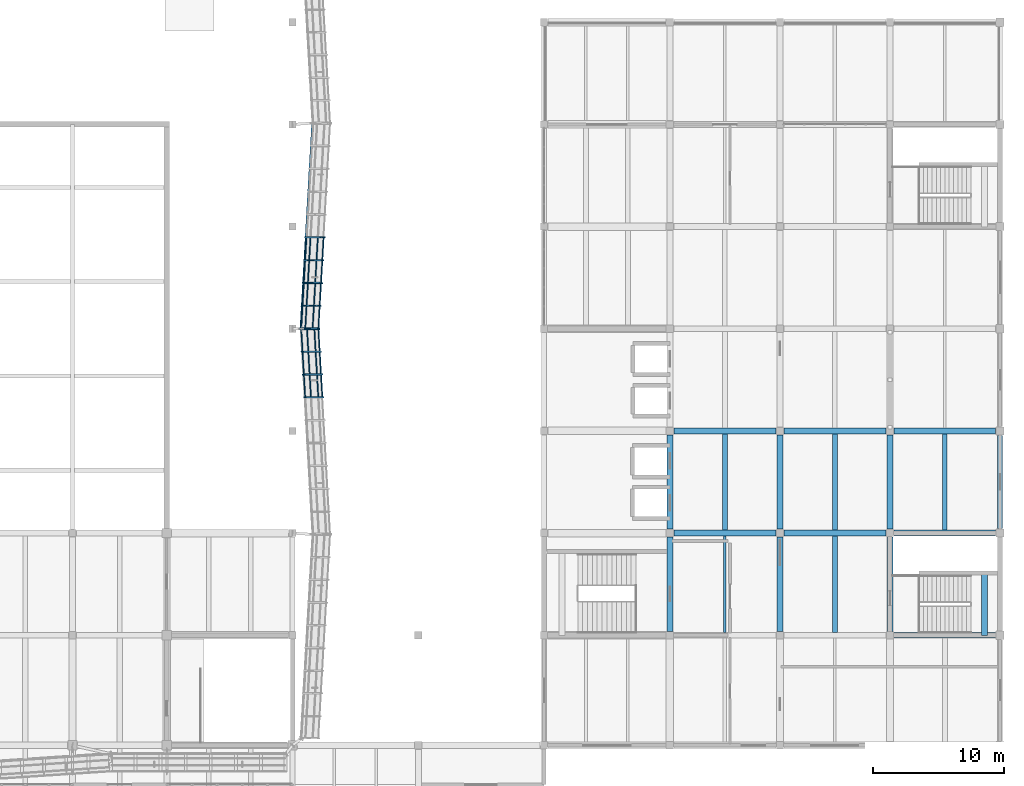
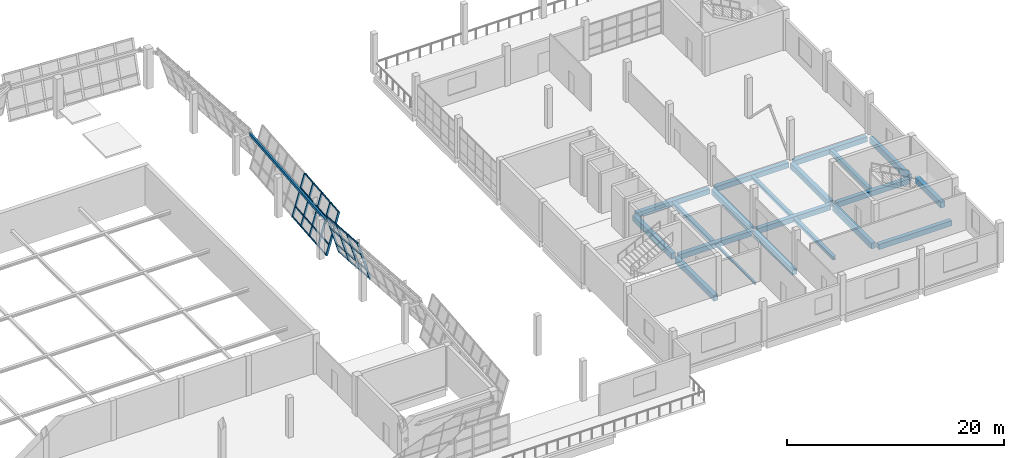
# One storey, part 20 of 67: 37 members, 21 beams, 2 elements without a shape of their own.
"""IFC4 building model written with IfcOpenShell, lengths in metres."""

from ifc_helpers import new_model, si_unit, direction, frame, origin, origin_2d, place, context, subcontext, project, spatial, rectangle, hollow_rectangle, i_section, extrude, material, material_profile, profile_set, type_object, element, aggregate, save


model = new_model("IFC4")

# Units and contexts
model_context = context("Model", 3, precision=1e-05, world=origin(), true_north=direction((0.0, 1.0)))
body_context = subcontext(model_context, "Body", "Model", "MODEL_VIEW")
ifc_project = project(units=[si_unit("LENGTHUNIT", "METRE"), si_unit("AREAUNIT", "SQUARE_METRE"), si_unit("VOLUMEUNIT", "CUBIC_METRE"), si_unit("PLANEANGLEUNIT", "RADIAN"), si_unit("MASSUNIT", "GRAM", prefix="KILO")], contexts=[model_context])

# Site, building, storey
site_placement = place(None, origin())
site = spatial("IfcSite", under=ifc_project, at=site_placement, CompositionType="ELEMENT")
building_placement = place(site_placement, origin())
building = spatial("IfcBuilding", under=site, at=building_placement, Name="Pellamere Symphony Hall", CompositionType="ELEMENT")
storey_placement = place(building_placement, frame((0.0, 0.0, 19.5)))
storey = spatial("IfcBuildingStorey", under=building, at=storey_placement, Name="L04", CompositionType="ELEMENT", Elevation=19.5)

# Curtain wall, members
ifc_material_1 = material(Name="Thermally Broken Anodised Aluminium 6063-T6 Curtain Wall", Category="aluminium")
curtain_wall_type = type_object("IfcCurtainWallType", Name="Curtain Wall CW-01 (Tilted Faceted Crystal Low-Iron Curtain Wall)", PredefinedType="NOTDEFINED", material=ifc_material_1)
curtain_wall_1_placement = place(storey_placement, origin())
curtain_wall_1 = element("IfcCurtainWall", 1, at=curtain_wall_1_placement, inside=storey, type_object=curtain_wall_type, Name="Crystal Faceted Curtain Wall CW-CR07 (L04)", PredefinedType="NOTDEFINED")
ifc_material_2 = material(Name="Anodised Architectural Aluminium 6063-T6", Category="aluminium")
ifc_material_profile_1 = material_profile(ifc_material_2, hollow_rectangle(XDim=0.074951171875, YDim=0.219970703125, WallThickness=0.0048828125, at=origin_2d()), Name="ALU-M75X220X5")
ifc_profile_set_1 = profile_set([ifc_material_profile_1], Name="Anodised Architectural Aluminium 6063-T6")
member_type_1 = type_object("IfcMemberType", Name="Curtain Wall Mullion ML-01 ALU-M75X220X5", PredefinedType="MULLION", material=ifc_profile_set_1)
member_1_placement = place(storey_placement, frame((121.0830078125, 56.566650390625, 0.0), z_axis=(-0.284024567884, 0.0, 0.95881700279), x_axis=(-0.054873944304, 0.99836096977, -0.016254976991)))
member_1 = element("IfcMember", 2, at=member_1_placement, type_object=member_type_1, Name="CW1-011 crystal mullion 7", PredefinedType="MULLION", context=body_context, shape_type="SweptSolid", body=[
    extrude(hollow_rectangle(XDim=0.074951171875, YDim=0.219970703125, WallThickness=0.0048828125, at=origin_2d()), origin(), (0.0, 0.0, 1.0), 4.693359375),
])
member_2_placement = place(storey_placement, frame((120.98291015625, 58.31103515625, 0.0), z_axis=(-0.284024567884, 0.0, 0.95881700279), x_axis=(-0.054873944304, 0.99836096977, -0.016254976991)))
member_2 = element("IfcMember", 3, at=member_2_placement, type_object=member_type_1, Name="CW1-011 crystal mullion 8", PredefinedType="MULLION", context=body_context, shape_type="SweptSolid", body=[
    extrude(hollow_rectangle(XDim=0.074951171875, YDim=0.219970703125, WallThickness=0.0048828125, at=origin_2d()), origin(), (0.0, 0.0, 1.0), 4.693359375),
])
member_3_placement = place(storey_placement, frame((120.883056640625, 60.0556640625, 0.0), z_axis=(-0.284024567884, 0.0, 0.95881700279), x_axis=(-0.054873944304, 0.99836096977, -0.016254976991)))
member_3 = element("IfcMember", 4, at=member_3_placement, type_object=member_type_1, Name="CW1-011 crystal mullion 9", PredefinedType="MULLION", context=body_context, shape_type="SweptSolid", body=[
    extrude(hollow_rectangle(XDim=0.074951171875, YDim=0.219970703125, WallThickness=0.0048828125, at=origin_2d()), origin(), (0.0, 0.0, 1.0), 4.693359375),
])
member_4_placement = place(storey_placement, frame((120.78515625, 61.762451171875, 0.0), z_axis=(-0.284024567884, 0.0, 0.95881700279), x_axis=(-0.054873944304, 0.99836096977, -0.016254976991)))
member_4 = element("IfcMember", 5, at=member_4_placement, type_object=member_type_1, Name="CW1-011 crystal mullion 10", PredefinedType="MULLION", context=body_context, shape_type="SweptSolid", body=[
    extrude(hollow_rectangle(XDim=0.074951171875, YDim=0.219970703125, WallThickness=0.0048828125, at=origin_2d()), origin(), (0.0, 0.0, 1.0), 4.693359375),
])

curtain_wall_2_placement = place(storey_placement, origin())
curtain_wall_2 = element("IfcCurtainWall", 6, at=curtain_wall_2_placement, inside=storey, type_object=curtain_wall_type, Name="Crystal Faceted Curtain Wall CW-CR08 (L04)", PredefinedType="NOTDEFINED")
member_5_placement = place(storey_placement, frame((119.4521484375, 61.83740234375, 0.0), z_axis=(0.284024567884, 0.0, 0.95881700279), x_axis=(-0.054873944304, -0.99836096977, 0.016254976991)))
member_5 = element("IfcMember", 7, at=member_5_placement, type_object=member_type_1, Name="CW1-016 crystal mullion 1", PredefinedType="MULLION", context=body_context, shape_type="SweptSolid", body=[
    extrude(hollow_rectangle(XDim=0.074951171875, YDim=0.219970703125, WallThickness=0.0048828125, at=origin_2d()), origin(), (0.0, 0.0, 1.0), 4.693359375),
])
member_6_placement = place(storey_placement, frame((119.550048828125, 63.54443359375, 0.0), z_axis=(0.284024567884, 0.0, 0.95881700279), x_axis=(-0.054873944304, -0.99836096977, 0.016254976991)))
member_6 = element("IfcMember", 8, at=member_6_placement, type_object=member_type_1, Name="CW1-016 crystal mullion 2", PredefinedType="MULLION", context=body_context, shape_type="SweptSolid", body=[
    extrude(hollow_rectangle(XDim=0.074951171875, YDim=0.219970703125, WallThickness=0.0048828125, at=origin_2d()), origin(), (0.0, 0.0, 1.0), 4.693359375),
])
member_7_placement = place(storey_placement, frame((119.64990234375, 65.288818359375, 0.0), z_axis=(0.284024567884, 0.0, 0.95881700279), x_axis=(-0.054873944304, -0.99836096977, 0.016254976991)))
member_7 = element("IfcMember", 9, at=member_7_placement, type_object=member_type_1, Name="CW1-016 crystal mullion 3", PredefinedType="MULLION", context=body_context, shape_type="SweptSolid", body=[
    extrude(hollow_rectangle(XDim=0.074951171875, YDim=0.219970703125, WallThickness=0.0048828125, at=origin_2d()), origin(), (0.0, 0.0, 1.0), 4.693359375),
])
member_8_placement = place(storey_placement, frame((119.75, 67.033447265625, 0.0), z_axis=(0.284024567884, 0.0, 0.95881700279), x_axis=(-0.054873944304, -0.99836096977, 0.016254976991)))
member_8 = element("IfcMember", 10, at=member_8_placement, type_object=member_type_1, Name="CW1-016 crystal mullion 4", PredefinedType="MULLION", context=body_context, shape_type="SweptSolid", body=[
    extrude(hollow_rectangle(XDim=0.074951171875, YDim=0.219970703125, WallThickness=0.0048828125, at=origin_2d()), origin(), (0.0, 0.0, 1.0), 4.693359375),
])
member_9_placement = place(storey_placement, frame((119.85009765625, 68.77783203125, 0.0), z_axis=(0.284024567884, 0.0, 0.95881700279), x_axis=(-0.054873944304, -0.99836096977, 0.016254976991)))
member_9 = element("IfcMember", 11, at=member_9_placement, type_object=member_type_1, Name="CW1-016 crystal mullion 5", PredefinedType="MULLION", context=body_context, shape_type="SweptSolid", body=[
    extrude(hollow_rectangle(XDim=0.074951171875, YDim=0.219970703125, WallThickness=0.0048828125, at=origin_2d()), origin(), (0.0, 0.0, 1.0), 4.693359375),
])

# Member
ifc_material_profile_2 = material_profile(ifc_material_2, hollow_rectangle(XDim=0.074951171875, YDim=0.179931640625, WallThickness=0.0048828125, at=origin_2d()), Name="ALU-T75X180X5")
ifc_profile_set_2 = profile_set([ifc_material_profile_2], Name="Anodised Architectural Aluminium 6063-T6")
member_type_2 = type_object("IfcMemberType", Name="Curtain Wall Transom TR-01 ALU-T75X180X5", PredefinedType="USERDEFINED", material=ifc_profile_set_2)
member_10_placement = place(storey_placement, frame((121.0703125, 56.60400390625, 0.035888671875), z_axis=(-0.057224396245, 0.998361341637, 0.0), x_axis=(-0.998361341637, -0.057224396245, 0.0)))
member_10 = element("IfcMember", 12, at=member_10_placement, type_object=member_type_2, Name="CW1-011 crystal transom 7.1", ObjectType="TRANSOM", PredefinedType="USERDEFINED", context=body_context, shape_type="SweptSolid", body=[
    extrude(hollow_rectangle(XDim=0.074951171875, YDim=0.179931640625, WallThickness=0.0048828125, at=origin_2d()), origin(), (0.0, 0.0, 1.0), 1.67236328125),
])

member_11_placement = place(storey_placement, frame((120.760986328125, 56.60400390625, 1.080078125), z_axis=(-0.057224396245, 0.998361341637, 0.0), x_axis=(-0.998361341637, -0.057224396245, 0.0)))
member_11 = element("IfcMember", 13, at=member_11_placement, type_object=member_type_2, Name="CW1-011 crystal transom 7.2", ObjectType="TRANSOM", PredefinedType="USERDEFINED", context=body_context, shape_type="SweptSolid", body=[
    extrude(hollow_rectangle(XDim=0.074951171875, YDim=0.179931640625, WallThickness=0.0048828125, at=origin_2d()), origin(), (0.0, 0.0, 1.0), 1.67236328125),
])

member_12_placement = place(storey_placement, frame((120.201171875, 56.60400390625, 2.969970703125), z_axis=(-0.057224396245, 0.998361341637, 0.0), x_axis=(-0.998361341637, -0.057224396245, 0.0)))
member_12 = element("IfcMember", 14, at=member_12_placement, type_object=member_type_2, Name="CW1-011 crystal transom 7.3", ObjectType="TRANSOM", PredefinedType="USERDEFINED", context=body_context, shape_type="SweptSolid", body=[
    extrude(hollow_rectangle(XDim=0.074951171875, YDim=0.179931640625, WallThickness=0.0048828125, at=origin_2d()), origin(), (0.0, 0.0, 1.0), 1.67236328125),
])

member_13_placement = place(storey_placement, frame((119.758544921875, 56.60400390625, 4.464111328125), z_axis=(-0.057224396245, 0.998361341637, 0.0), x_axis=(-0.998361341637, -0.057224396245, 0.0)))
member_13 = element("IfcMember", 15, at=member_13_placement, type_object=member_type_2, Name="CW1-011 crystal transom 7.4", ObjectType="TRANSOM", PredefinedType="USERDEFINED", context=body_context, shape_type="SweptSolid", body=[
    extrude(hollow_rectangle(XDim=0.074951171875, YDim=0.179931640625, WallThickness=0.0048828125, at=origin_2d()), origin(), (0.0, 0.0, 1.0), 1.67236328125),
])

member_14_placement = place(storey_placement, frame((120.97021484375, 58.3486328125, 0.035888671875), z_axis=(-0.057232737422, 0.998360863499, 0.0), x_axis=(-0.998360863499, -0.057232737422, 0.0)))
member_14 = element("IfcMember", 16, at=member_14_placement, type_object=member_type_2, Name="CW1-011 crystal transom 8.1", ObjectType="TRANSOM", PredefinedType="USERDEFINED", context=body_context, shape_type="SweptSolid", body=[
    extrude(hollow_rectangle(XDim=0.074951171875, YDim=0.179931640625, WallThickness=0.0048828125, at=origin_2d()), origin(), (0.0, 0.0, 1.0), 1.672119140625),
])

member_15_placement = place(storey_placement, frame((120.660888671875, 58.3486328125, 1.080078125), z_axis=(-0.057232737422, 0.998360863499, 0.0), x_axis=(-0.998360863499, -0.057232737422, 0.0)))
member_15 = element("IfcMember", 17, at=member_15_placement, type_object=member_type_2, Name="CW1-011 crystal transom 8.2", ObjectType="TRANSOM", PredefinedType="USERDEFINED", context=body_context, shape_type="SweptSolid", body=[
    extrude(hollow_rectangle(XDim=0.074951171875, YDim=0.179931640625, WallThickness=0.0048828125, at=origin_2d()), origin(), (0.0, 0.0, 1.0), 1.672119140625),
])

member_16_placement = place(storey_placement, frame((120.10107421875, 58.3486328125, 2.969970703125), z_axis=(-0.057232737422, 0.998360863499, 0.0), x_axis=(-0.998360863499, -0.057232737422, 0.0)))
member_16 = element("IfcMember", 18, at=member_16_placement, type_object=member_type_2, Name="CW1-011 crystal transom 8.3", ObjectType="TRANSOM", PredefinedType="USERDEFINED", context=body_context, shape_type="SweptSolid", body=[
    extrude(hollow_rectangle(XDim=0.074951171875, YDim=0.179931640625, WallThickness=0.0048828125, at=origin_2d()), origin(), (0.0, 0.0, 1.0), 1.672119140625),
])

member_17_placement = place(storey_placement, frame((119.658447265625, 58.3486328125, 4.464111328125), z_axis=(-0.057232737422, 0.998360863499, 0.0), x_axis=(-0.998360863499, -0.057232737422, 0.0)))
member_17 = element("IfcMember", 19, at=member_17_placement, type_object=member_type_2, Name="CW1-011 crystal transom 8.4", ObjectType="TRANSOM", PredefinedType="USERDEFINED", context=body_context, shape_type="SweptSolid", body=[
    extrude(hollow_rectangle(XDim=0.074951171875, YDim=0.179931640625, WallThickness=0.0048828125, at=origin_2d()), origin(), (0.0, 0.0, 1.0), 1.672119140625),
])

member_18_placement = place(storey_placement, frame((120.8701171875, 60.093017578125, 0.035888671875), z_axis=(-0.057198647566, 0.998362817175, 0.0), x_axis=(-0.998362817175, -0.057198647566, 0.0)))
member_18 = element("IfcMember", 20, at=member_18_placement, type_object=member_type_2, Name="CW1-011 crystal transom 9.1", ObjectType="TRANSOM", PredefinedType="USERDEFINED", context=body_context, shape_type="SweptSolid", body=[
    extrude(hollow_rectangle(XDim=0.074951171875, YDim=0.179931640625, WallThickness=0.0048828125, at=origin_2d()), origin(), (0.0, 0.0, 1.0), 1.634765625),
])

member_19_placement = place(storey_placement, frame((120.56103515625, 60.093017578125, 1.080078125), z_axis=(-0.057347500779, 0.998354277877, 0.0), x_axis=(-0.998354277877, -0.057347500779, 0.0)))
member_19 = element("IfcMember", 21, at=member_19_placement, type_object=member_type_2, Name="CW1-011 crystal transom 9.2", ObjectType="TRANSOM", PredefinedType="USERDEFINED", context=body_context, shape_type="SweptSolid", body=[
    extrude(hollow_rectangle(XDim=0.074951171875, YDim=0.179931640625, WallThickness=0.0048828125, at=origin_2d()), origin(), (0.0, 0.0, 1.0), 1.634765625),
])

member_20_placement = place(storey_placement, frame((120.0009765625, 60.093017578125, 2.969970703125), z_axis=(-0.057198647566, 0.998362817175, 0.0), x_axis=(-0.998362817175, -0.057198647566, 0.0)))
member_20 = element("IfcMember", 22, at=member_20_placement, type_object=member_type_2, Name="CW1-011 crystal transom 9.3", ObjectType="TRANSOM", PredefinedType="USERDEFINED", context=body_context, shape_type="SweptSolid", body=[
    extrude(hollow_rectangle(XDim=0.074951171875, YDim=0.179931640625, WallThickness=0.0048828125, at=origin_2d()), origin(), (0.0, 0.0, 1.0), 1.634765625),
])

member_21_placement = place(storey_placement, frame((119.55859375, 60.093017578125, 4.464111328125), z_axis=(-0.057347500779, 0.998354277877, 0.0), x_axis=(-0.998354277877, -0.057347500779, 0.0)))
member_21 = element("IfcMember", 23, at=member_21_placement, type_object=member_type_2, Name="CW1-011 crystal transom 9.4", ObjectType="TRANSOM", PredefinedType="USERDEFINED", context=body_context, shape_type="SweptSolid", body=[
    extrude(hollow_rectangle(XDim=0.074951171875, YDim=0.179931640625, WallThickness=0.0048828125, at=origin_2d()), origin(), (0.0, 0.0, 1.0), 1.634765625),
])

aggregate(curtain_wall_1, [member_1, member_2, member_3, member_4, member_10, member_11, member_12, member_13, member_14, member_15, member_16, member_17, member_18, member_19, member_20, member_21])

member_22_placement = place(storey_placement, frame((119.46484375, 61.874755859375, 0.035888671875), z_axis=(0.057338951729, 0.998354768915, 0.0), x_axis=(-0.998354768915, 0.057338951729, 0.0)))
member_22 = element("IfcMember", 24, at=member_22_placement, type_object=member_type_2, Name="CW1-016 crystal transom 1.1", ObjectType="TRANSOM", PredefinedType="USERDEFINED", context=body_context, shape_type="SweptSolid", body=[
    extrude(hollow_rectangle(XDim=0.074951171875, YDim=0.179931640625, WallThickness=0.0048828125, at=origin_2d()), origin(), (0.0, 0.0, 1.0), 1.635009765625),
])

member_23_placement = place(storey_placement, frame((119.774169921875, 61.874755859375, 1.080078125), z_axis=(0.057190120561, 0.998363305671, 0.0), x_axis=(-0.998363305671, 0.057190120561, 0.0)))
member_23 = element("IfcMember", 25, at=member_23_placement, type_object=member_type_2, Name="CW1-016 crystal transom 1.2", ObjectType="TRANSOM", PredefinedType="USERDEFINED", context=body_context, shape_type="SweptSolid", body=[
    extrude(hollow_rectangle(XDim=0.074951171875, YDim=0.179931640625, WallThickness=0.0048828125, at=origin_2d()), origin(), (0.0, 0.0, 1.0), 1.635009765625),
])

member_24_placement = place(storey_placement, frame((120.333984375, 61.874755859375, 2.969970703125), z_axis=(0.057338951729, 0.998354768915, 0.0), x_axis=(-0.998354768915, 0.057338951729, 0.0)))
member_24 = element("IfcMember", 26, at=member_24_placement, type_object=member_type_2, Name="CW1-016 crystal transom 1.3", ObjectType="TRANSOM", PredefinedType="USERDEFINED", context=body_context, shape_type="SweptSolid", body=[
    extrude(hollow_rectangle(XDim=0.074951171875, YDim=0.179931640625, WallThickness=0.0048828125, at=origin_2d()), origin(), (0.0, 0.0, 1.0), 1.635009765625),
])

member_25_placement = place(storey_placement, frame((120.776611328125, 61.874755859375, 4.464111328125), z_axis=(0.057190120561, 0.998363305671, 0.0), x_axis=(-0.998363305671, 0.057190120561, 0.0)))
member_25 = element("IfcMember", 27, at=member_25_placement, type_object=member_type_2, Name="CW1-016 crystal transom 1.4", ObjectType="TRANSOM", PredefinedType="USERDEFINED", context=body_context, shape_type="SweptSolid", body=[
    extrude(hollow_rectangle(XDim=0.074951171875, YDim=0.179931640625, WallThickness=0.0048828125, at=origin_2d()), origin(), (0.0, 0.0, 1.0), 1.635009765625),
])

member_26_placement = place(storey_placement, frame((119.562744140625, 63.581787109375, 0.035888671875), z_axis=(0.057224396245, 0.998361341637, 0.0), x_axis=(-0.998361341637, 0.057224396245, 0.0)))
member_26 = element("IfcMember", 28, at=member_26_placement, type_object=member_type_2, Name="CW1-016 crystal transom 2.1", ObjectType="TRANSOM", PredefinedType="USERDEFINED", context=body_context, shape_type="SweptSolid", body=[
    extrude(hollow_rectangle(XDim=0.074951171875, YDim=0.179931640625, WallThickness=0.0048828125, at=origin_2d()), origin(), (0.0, 0.0, 1.0), 1.67236328125),
])

member_27_placement = place(storey_placement, frame((119.8720703125, 63.581787109375, 1.080078125), z_axis=(0.057224396245, 0.998361341637, 0.0), x_axis=(-0.998361341637, 0.057224396245, 0.0)))
member_27 = element("IfcMember", 29, at=member_27_placement, type_object=member_type_2, Name="CW1-016 crystal transom 2.2", ObjectType="TRANSOM", PredefinedType="USERDEFINED", context=body_context, shape_type="SweptSolid", body=[
    extrude(hollow_rectangle(XDim=0.074951171875, YDim=0.179931640625, WallThickness=0.0048828125, at=origin_2d()), origin(), (0.0, 0.0, 1.0), 1.67236328125),
])

member_28_placement = place(storey_placement, frame((120.431884765625, 63.581787109375, 2.969970703125), z_axis=(0.057224396245, 0.998361341637, 0.0), x_axis=(-0.998361341637, 0.057224396245, 0.0)))
member_28 = element("IfcMember", 30, at=member_28_placement, type_object=member_type_2, Name="CW1-016 crystal transom 2.3", ObjectType="TRANSOM", PredefinedType="USERDEFINED", context=body_context, shape_type="SweptSolid", body=[
    extrude(hollow_rectangle(XDim=0.074951171875, YDim=0.179931640625, WallThickness=0.0048828125, at=origin_2d()), origin(), (0.0, 0.0, 1.0), 1.67236328125),
])

member_29_placement = place(storey_placement, frame((120.87451171875, 63.581787109375, 4.464111328125), z_axis=(0.057224396245, 0.998361341637, 0.0), x_axis=(-0.998361341637, 0.057224396245, 0.0)))
member_29 = element("IfcMember", 31, at=member_29_placement, type_object=member_type_2, Name="CW1-016 crystal transom 2.4", ObjectType="TRANSOM", PredefinedType="USERDEFINED", context=body_context, shape_type="SweptSolid", body=[
    extrude(hollow_rectangle(XDim=0.074951171875, YDim=0.179931640625, WallThickness=0.0048828125, at=origin_2d()), origin(), (0.0, 0.0, 1.0), 1.67236328125),
])

member_30_placement = place(storey_placement, frame((119.662841796875, 65.326416015625, 0.035888671875), z_axis=(0.057232737422, 0.998360863499, 0.0), x_axis=(-0.998360863499, 0.057232737422, 0.0)))
member_30 = element("IfcMember", 32, at=member_30_placement, type_object=member_type_2, Name="CW1-016 crystal transom 3.1", ObjectType="TRANSOM", PredefinedType="USERDEFINED", context=body_context, shape_type="SweptSolid", body=[
    extrude(hollow_rectangle(XDim=0.074951171875, YDim=0.179931640625, WallThickness=0.0048828125, at=origin_2d()), origin(), (0.0, 0.0, 1.0), 1.672119140625),
])

member_31_placement = place(storey_placement, frame((119.97216796875, 65.326416015625, 1.080078125), z_axis=(0.057232737422, 0.998360863499, 0.0), x_axis=(-0.998360863499, 0.057232737422, 0.0)))
member_31 = element("IfcMember", 33, at=member_31_placement, type_object=member_type_2, Name="CW1-016 crystal transom 3.2", ObjectType="TRANSOM", PredefinedType="USERDEFINED", context=body_context, shape_type="SweptSolid", body=[
    extrude(hollow_rectangle(XDim=0.074951171875, YDim=0.179931640625, WallThickness=0.0048828125, at=origin_2d()), origin(), (0.0, 0.0, 1.0), 1.672119140625),
])

member_32_placement = place(storey_placement, frame((120.531982421875, 65.326416015625, 2.969970703125), z_axis=(0.057232737422, 0.998360863499, 0.0), x_axis=(-0.998360863499, 0.057232737422, 0.0)))
member_32 = element("IfcMember", 34, at=member_32_placement, type_object=member_type_2, Name="CW1-016 crystal transom 3.3", ObjectType="TRANSOM", PredefinedType="USERDEFINED", context=body_context, shape_type="SweptSolid", body=[
    extrude(hollow_rectangle(XDim=0.074951171875, YDim=0.179931640625, WallThickness=0.0048828125, at=origin_2d()), origin(), (0.0, 0.0, 1.0), 1.672119140625),
])

member_33_placement = place(storey_placement, frame((120.974609375, 65.326416015625, 4.464111328125), z_axis=(0.057232737422, 0.998360863499, 0.0), x_axis=(-0.998360863499, 0.057232737422, 0.0)))
member_33 = element("IfcMember", 35, at=member_33_placement, type_object=member_type_2, Name="CW1-016 crystal transom 3.4", ObjectType="TRANSOM", PredefinedType="USERDEFINED", context=body_context, shape_type="SweptSolid", body=[
    extrude(hollow_rectangle(XDim=0.074951171875, YDim=0.179931640625, WallThickness=0.0048828125, at=origin_2d()), origin(), (0.0, 0.0, 1.0), 1.672119140625),
])

member_34_placement = place(storey_placement, frame((119.7626953125, 67.07080078125, 0.035888671875), z_axis=(0.057232737422, 0.998360863499, 0.0), x_axis=(-0.998360863499, 0.057232737422, 0.0)))
member_34 = element("IfcMember", 36, at=member_34_placement, type_object=member_type_2, Name="CW1-016 crystal transom 4.1", ObjectType="TRANSOM", PredefinedType="USERDEFINED", context=body_context, shape_type="SweptSolid", body=[
    extrude(hollow_rectangle(XDim=0.074951171875, YDim=0.179931640625, WallThickness=0.0048828125, at=origin_2d()), origin(), (0.0, 0.0, 1.0), 1.672119140625),
])

member_35_placement = place(storey_placement, frame((120.072021484375, 67.07080078125, 1.080078125), z_axis=(0.057232737422, 0.998360863499, 0.0), x_axis=(-0.998360863499, 0.057232737422, 0.0)))
member_35 = element("IfcMember", 37, at=member_35_placement, type_object=member_type_2, Name="CW1-016 crystal transom 4.2", ObjectType="TRANSOM", PredefinedType="USERDEFINED", context=body_context, shape_type="SweptSolid", body=[
    extrude(hollow_rectangle(XDim=0.074951171875, YDim=0.179931640625, WallThickness=0.0048828125, at=origin_2d()), origin(), (0.0, 0.0, 1.0), 1.672119140625),
])

member_36_placement = place(storey_placement, frame((120.6318359375, 67.07080078125, 2.969970703125), z_axis=(0.057232737422, 0.998360863499, 0.0), x_axis=(-0.998360863499, 0.057232737422, 0.0)))
member_36 = element("IfcMember", 38, at=member_36_placement, type_object=member_type_2, Name="CW1-016 crystal transom 4.3", ObjectType="TRANSOM", PredefinedType="USERDEFINED", context=body_context, shape_type="SweptSolid", body=[
    extrude(hollow_rectangle(XDim=0.074951171875, YDim=0.179931640625, WallThickness=0.0048828125, at=origin_2d()), origin(), (0.0, 0.0, 1.0), 1.672119140625),
])

member_37_placement = place(storey_placement, frame((121.074462890625, 67.07080078125, 4.464111328125), z_axis=(0.057232737422, 0.998360863499, 0.0), x_axis=(-0.998360863499, 0.057232737422, 0.0)))
member_37 = element("IfcMember", 39, at=member_37_placement, type_object=member_type_2, Name="CW1-016 crystal transom 4.4", ObjectType="TRANSOM", PredefinedType="USERDEFINED", context=body_context, shape_type="SweptSolid", body=[
    extrude(hollow_rectangle(XDim=0.074951171875, YDim=0.179931640625, WallThickness=0.0048828125, at=origin_2d()), origin(), (0.0, 0.0, 1.0), 1.672119140625),
])

aggregate(curtain_wall_2, [member_5, member_6, member_7, member_8, member_9, member_22, member_23, member_24, member_25, member_26, member_27, member_28, member_29, member_30, member_31, member_32, member_33, member_34, member_35, member_36, member_37])

# Beams
ifc_material_3 = material(Name="Concrete 40 MPa", Category="concrete")
ifc_material_profile_3 = material_profile(ifc_material_3, rectangle(XDim=0.449951171875, YDim=0.64990234375, at=origin_2d()), Name="RC 450x650")
ifc_profile_set_3 = profile_set([ifc_material_profile_3], Name="Concrete 40 MPa")
beam_type_1 = type_object("IfcBeamType", Name="RC CB-08 450x650", PredefinedType="BEAM", material=ifc_profile_set_3)
for number, where, z_axis, x_axis, name in (
    (40, (147.60009765625, 38.699951171875, -0.5849609375), (0.0, 1.0, 0.0), (-1.0, 0.0, 0.0), "Girder CB-08-Y1917 (L04)"),
    (41, (147.60009765625, 46.5, -0.5849609375), (0.0, 1.0, 0.0), (-1.0, 0.0, 0.0), "Girder CB-08-Y1918 (L04)"),
    (42, (156.0, 38.699951171875, -0.5849609375), (0.0, 1.0, 0.0), (-1.0, 0.0, 0.0), "Girder CB-08-Y1924 (L04)"),
    (43, (156.0, 46.5, -0.5849609375), (0.0, 1.0, 0.0), (-1.0, 0.0, 0.0), "Girder CB-08-Y1925 (L04)"),
    (44, (164.39990234375, 38.699951171875, -0.5849609375), (0.0, 1.0, 0.0), (-1.0, 0.0, 0.0), "Girder CB-08-Y1931 (L04)"),
    (45, (164.39990234375, 46.5, -0.5849609375), (0.0, 1.0, 0.0), (-1.0, 0.0, 0.0), "Girder CB-08-Y1932 (L04)"),
):
    element("IfcBeam", number, at=place(storey_placement, frame(where, z_axis=z_axis, x_axis=x_axis)), inside=storey, type_object=beam_type_1, Name=name, PredefinedType="BEAM", context=body_context, shape_type="SweptSolid", body=[
        extrude(rectangle(XDim=0.449951171875, YDim=0.64990234375, at=origin_2d()), origin(), (0.0, 0.0, 1.0), 7.199951171875),
    ])
beam_1_placement = place(storey_placement, frame((171.607421875, 38.3798828125, 1.705078125), z_axis=(0.0, 1.0, 0.0), x_axis=(-1.0, 0.0, 0.0)))
element("IfcBeam", 46, at=beam_1_placement, inside=storey, type_object=beam_type_1, Name="Stair ST06-L04 Half Landing Support Beam (L04)", PredefinedType="BEAM", context=body_context, shape_type="SweptSolid", body=[
    extrude(rectangle(XDim=0.449951171875, YDim=0.64990234375, at=origin_2d()), origin(), (0.0, 0.0, 1.0), 4.780029296875),
])
ifc_material_4 = material(Name="Concrete 35 MPa", Category="concrete")
ifc_material_profile_4 = material_profile(ifc_material_4, rectangle(XDim=0.35009765625, YDim=0.5, at=origin_2d()), Name="RC 350x500")
ifc_profile_set_4 = profile_set([ifc_material_profile_4], Name="Concrete 35 MPa")
beam_type_2 = type_object("IfcBeamType", Name="RC CB-11 350x500", PredefinedType="BEAM", material=ifc_profile_set_4)
beam_2_placement = place(storey_placement, frame((168.60009765625, 46.419921875, -0.52490234375), z_axis=(0.0, 1.0, 0.0), x_axis=(-1.0, 0.0, 0.0)))
element("IfcBeam", 47, at=beam_2_placement, inside=storey, type_object=beam_type_2, Name="Secondary Floor Beam CB-11-M2006 (L04)", PredefinedType="BEAM", context=body_context, shape_type="SweptSolid", body=[
    extrude(rectangle(XDim=0.35009765625, YDim=0.5, at=origin_2d()), origin(), (0.0, 0.0, 1.0), 7.360107421875),
])
ifc_material_profile_5 = material_profile(ifc_material_3, rectangle(XDim=0.39990234375, YDim=0.699951171875, at=origin_2d()), Name="RC 400x700")
ifc_profile_set_5 = profile_set([ifc_material_profile_5], Name="Concrete 40 MPa")
beam_type_3 = type_object("IfcBeamType", Name="RC CB-13 400x700", PredefinedType="SPANDREL", material=ifc_profile_set_5)
beam_3_placement = place(storey_placement, frame((172.800048828125, 46.5400390625, -0.610107421875), z_axis=(0.0, 1.0, 0.0), x_axis=(-1.0, 0.0, 0.0)))
element("IfcBeam", 48, at=beam_3_placement, inside=storey, type_object=beam_type_3, Name="Girder CB-13-Y1938 (L04)", PredefinedType="SPANDREL", context=body_context, shape_type="SweptSolid", body=[
    extrude(rectangle(XDim=0.39990234375, YDim=0.699951171875, at=origin_2d()), origin(), (0.0, 0.0, 1.0), 7.119873046875),
])
ifc_material_profile_6 = material_profile(ifc_material_3, rectangle(XDim=0.43994140625, YDim=0.580078125, at=origin_2d()), Name="RC 440x580")
ifc_profile_set_6 = profile_set([ifc_material_profile_6], Name="Concrete 40 MPa")
beam_type_4 = type_object("IfcBeamType", Name="RC CB-20 440x580", PredefinedType="BEAM", material=ifc_profile_set_6)
beam_4_placement = place(storey_placement, frame((164.699951171875, 38.39990234375, -0.550048828125), z_axis=(1.0, 0.0, 0.0), x_axis=(0.0, 1.0, 0.0)))
element("IfcBeam", 49, at=beam_4_placement, inside=storey, type_object=beam_type_4, Name="Girder CB-20-X1830 (L04)", PredefinedType="BEAM", context=body_context, shape_type="SweptSolid", body=[
    extrude(rectangle(XDim=0.43994140625, YDim=0.580078125, at=origin_2d()), origin(), (0.0, 0.0, 1.0), 7.760009765625),
])
for number, where, z_axis, x_axis, name in (
    (50, (147.89990234375, 46.199951171875, -0.550048828125), (1.0, 0.0, 0.0), (0.0, 1.0, 0.0), "Girder CB-20-X1841 (L04)"),
    (51, (156.300048828125, 46.199951171875, -0.550048828125), (1.0, 0.0, 0.0), (0.0, 1.0, 0.0), "Girder CB-20-X1842 (L04)"),
):
    element("IfcBeam", number, at=place(storey_placement, frame(where, z_axis=z_axis, x_axis=x_axis)), inside=storey, type_object=beam_type_4, Name=name, PredefinedType="BEAM", context=body_context, shape_type="SweptSolid", body=[
        extrude(rectangle(XDim=0.43994140625, YDim=0.580078125, at=origin_2d()), origin(), (0.0, 0.0, 1.0), 7.800048828125),
    ])
beam_5_placement = place(storey_placement, frame((164.699951171875, 46.199951171875, -0.550048828125), z_axis=(1.0, 0.0, 0.0), x_axis=(0.0, 1.0, 0.0)))
element("IfcBeam", 52, at=beam_5_placement, inside=storey, type_object=beam_type_4, Name="Girder CB-20-X1843 (L04)", PredefinedType="BEAM", context=body_context, shape_type="SweptSolid", body=[
    extrude(rectangle(XDim=0.43994140625, YDim=0.580078125, at=origin_2d()), origin(), (0.0, 0.0, 1.0), 7.760009765625),
])
for number, where, z_axis, x_axis, name in (
    (53, (147.89990234375, 54.0, -0.550048828125), (1.0, 0.0, 0.0), (0.0, 1.0, 0.0), "Girder CB-20-X1846 (L04)"),
    (54, (156.300048828125, 54.0, -0.550048828125), (1.0, 0.0, 0.0), (0.0, 1.0, 0.0), "Girder CB-20-X1847 (L04)"),
):
    element("IfcBeam", number, at=place(storey_placement, frame(where, z_axis=z_axis, x_axis=x_axis)), inside=storey, type_object=beam_type_4, Name=name, PredefinedType="BEAM", context=body_context, shape_type="SweptSolid", body=[
        extrude(rectangle(XDim=0.43994140625, YDim=0.580078125, at=origin_2d()), origin(), (0.0, 0.0, 1.0), 7.800048828125),
    ])
beam_6_placement = place(storey_placement, frame((164.699951171875, 54.0, -0.550048828125), z_axis=(1.0, 0.0, 0.0), x_axis=(0.0, 1.0, 0.0)))
element("IfcBeam", 55, at=beam_6_placement, inside=storey, type_object=beam_type_4, Name="Girder CB-20-X1848 (L04)", PredefinedType="BEAM", context=body_context, shape_type="SweptSolid", body=[
    extrude(rectangle(XDim=0.43994140625, YDim=0.580078125, at=origin_2d()), origin(), (0.0, 0.0, 1.0), 7.760009765625),
])
ifc_material_5 = material(Name="Steel CSA G40.21 350W", Category="steel")
ifc_material_profile_7 = material_profile(ifc_material_5, i_section(OverallWidth=0.3740234375, OverallDepth=0.3720703125, WebThickness=0.016357421875, FlangeThickness=0.026123046875, at=origin_2d()), Name="W360X196")
ifc_profile_set_7 = profile_set([ifc_material_profile_7], Name="Steel CSA G40.21 350W")
beam_type_5 = type_object("IfcBeamType", Name="Steel Beam SB-27 W360X196", PredefinedType="BEAM", material=ifc_profile_set_7)
beam_7_placement = place(storey_placement, frame((151.800048828125, 46.419921875, -0.4609375), z_axis=(0.0, 1.0, 0.0), x_axis=(-1.0, 0.0, 0.0)))
element("IfcBeam", 56, at=beam_7_placement, inside=storey, type_object=beam_type_5, Name="Secondary Floor Beam SB-27-M1806 (L04)", PredefinedType="BEAM", context=body_context, shape_type="SweptSolid", body=[
    extrude(i_section(OverallWidth=0.3740234375, OverallDepth=0.3720703125, WebThickness=0.016357421875, FlangeThickness=0.026123046875, at=origin_2d()), origin(), (0.0, 0.0, 1.0), 7.360107421875),
])
beam_8_placement = place(storey_placement, frame((160.199951171875, 38.6201171875, -0.4609375), z_axis=(0.0, 1.0, 0.0), x_axis=(-1.0, 0.0, 0.0)))
element("IfcBeam", 57, at=beam_8_placement, inside=storey, type_object=beam_type_5, Name="Secondary Floor Beam SB-27-M1905 (L04)", PredefinedType="BEAM", context=body_context, shape_type="SweptSolid", body=[
    extrude(i_section(OverallWidth=0.3740234375, OverallDepth=0.3720703125, WebThickness=0.016357421875, FlangeThickness=0.026123046875, at=origin_2d()), origin(), (0.0, 0.0, 1.0), 7.35986328125),
])
ifc_material_profile_8 = material_profile(ifc_material_5, i_section(OverallWidth=0.368896484375, OverallDepth=0.35595703125, WebThickness=0.01123046875, FlangeThickness=0.01806640625, at=origin_2d()), Name="W360X134")
ifc_profile_set_8 = profile_set([ifc_material_profile_8], Name="Steel CSA G40.21 350W")
beam_type_6 = type_object("IfcBeamType", Name="Steel Beam SB-28 W360X134", PredefinedType="BEAM", material=ifc_profile_set_8)
beam_9_placement = place(storey_placement, frame((160.199951171875, 46.419921875, -0.452880859375), z_axis=(0.0, 1.0, 0.0), x_axis=(-1.0, 0.0, 0.0)))
element("IfcBeam", 58, at=beam_9_placement, inside=storey, type_object=beam_type_6, Name="Secondary Floor Beam SB-28-M1906 (L04)", PredefinedType="BEAM", context=body_context, shape_type="SweptSolid", body=[
    extrude(i_section(OverallWidth=0.368896484375, OverallDepth=0.35595703125, WebThickness=0.01123046875, FlangeThickness=0.01806640625, at=origin_2d()), origin(), (0.0, 0.0, 1.0), 7.360107421875),
])
ifc_material_profile_9 = material_profile(ifc_material_5, i_section(OverallWidth=0.201904296875, OverallDepth=0.2470703125, WebThickness=0.00732421875, FlangeThickness=0.010986328125, at=origin_2d()), Name="W250X49")
ifc_profile_set_9 = profile_set([ifc_material_profile_9], Name="Steel CSA G40.21 350W")
beam_type_7 = type_object("IfcBeamType", Name="Steel Joist SB-25 W250X49", PredefinedType="JOIST", material=ifc_profile_set_9)
beam_10_placement = place(storey_placement, frame((151.800048828125, 38.6201171875, -0.3984375), z_axis=(0.0, 1.0, 0.0), x_axis=(-1.0, 0.0, 0.0)))
element("IfcBeam", 59, at=beam_10_placement, inside=storey, type_object=beam_type_7, Name="Secondary Floor Beam SB-25-M1805 (L04)", PredefinedType="JOIST", context=body_context, shape_type="SweptSolid", body=[
    extrude(i_section(OverallWidth=0.201904296875, OverallDepth=0.2470703125, WebThickness=0.00732421875, FlangeThickness=0.010986328125, at=origin_2d()), origin(), (0.0, 0.0, 1.0), 7.35986328125),
])
ifc_material_profile_10 = material_profile(ifc_material_5, hollow_rectangle(XDim=0.203125, YDim=0.3046875, WallThickness=0.0126953125, at=origin_2d()), Name="HSS305X203X13")
ifc_profile_set_10 = profile_set([ifc_material_profile_10], Name="Steel CSA G40.21 350W")
beam_type_8 = type_object("IfcBeamType", Name="Steel Spandrel SB-26 HSS305X203X13", PredefinedType="SPANDREL", material=ifc_profile_set_10)
beam_11_placement = place(storey_placement, frame((119.449951171875, 61.800048828125, 3.93994140625), z_axis=(0.057240345461, 0.998360427326, 0.0), x_axis=(-0.998360427326, 0.057240345461, 0.0)))
element("IfcBeam", 60, at=beam_11_placement, inside=storey, type_object=beam_type_8, Name="Crystal Perimeter Ring Beam CW-CR08 (L04)", PredefinedType="SPANDREL", context=body_context, shape_type="SweptSolid", body=[
    extrude(hollow_rectangle(XDim=0.203125, YDim=0.3046875, WallThickness=0.0126953125, at=origin_2d()), origin(), (0.0, 0.0, 1.0), 15.725830078125),
])

save(model, "model.ifc")
